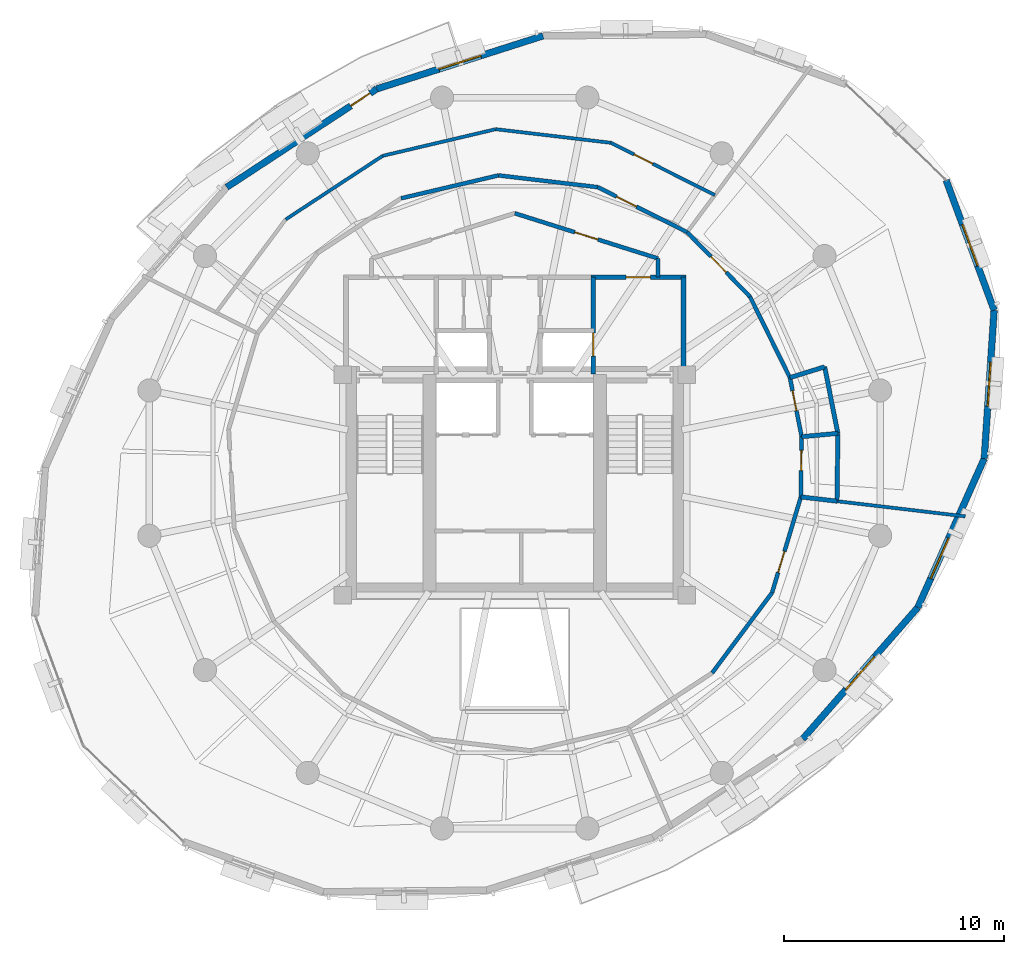
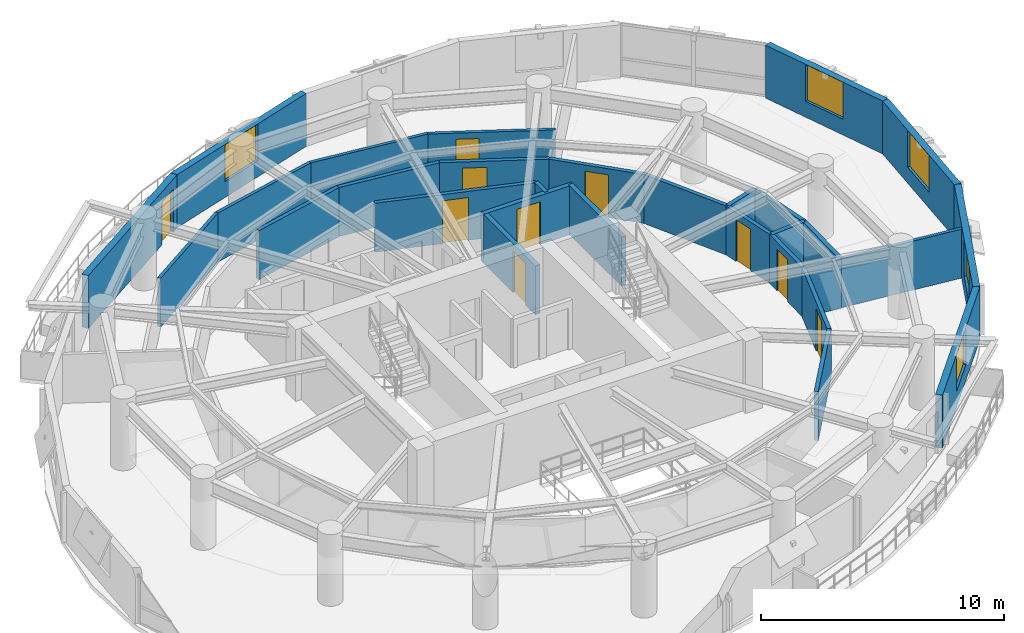
# One storey, part 9 of 12: 30 walls, 10 doors, 5 windows, 15 openings.
"""IFC4 building model written with IfcOpenShell, lengths in metres."""

from ifc_helpers import new_model, si_unit, direction, frame, frame_2d, origin, place, context, subcontext, project, spatial, rectangle, extrude, material, layer, layer_set, type_object, element, fill, save


model = new_model("IFC4")

# Units and contexts
model_context = context("Model", 3, precision=1e-05, world=origin(), true_north=direction((0.0, 1.0)))
body_context = subcontext(model_context, "Body", "Model", "MODEL_VIEW")
ifc_project = project(units=[si_unit("LENGTHUNIT", "METRE"), si_unit("AREAUNIT", "SQUARE_METRE"), si_unit("VOLUMEUNIT", "CUBIC_METRE"), si_unit("PLANEANGLEUNIT", "RADIAN"), si_unit("MASSUNIT", "GRAM", prefix="KILO"), si_unit("THERMODYNAMICTEMPERATUREUNIT", "KELVIN"), si_unit("POWERUNIT", "WATT")], contexts=[model_context])

# Site, building, storey
site_placement = place(None, origin())
site = spatial("IfcSite", under=ifc_project, at=site_placement, CompositionType="ELEMENT")
building_placement = place(site_placement, origin())
building = spatial("IfcBuilding", under=site, at=building_placement, Name="Ocrelia Relay Tower", CompositionType="ELEMENT")
storey_placement = place(building_placement, frame((0.0, 0.0, 173.60009765625)))
storey = spatial("IfcBuildingStorey", under=building, at=storey_placement, Name="L41", CompositionType="ELEMENT", Elevation=173.60009765625)

# Wall
ifc_material_1 = material(Name="Gypsum Fireboard Partition EI60", Category="gypsum")
ifc_layer_1 = layer(ifc_material_1, 0.179931640625, Name="Gypsum Fireboard Partition EI60")
ifc_layer_set_1 = layer_set([ifc_layer_1], Name="Gypsum Fireboard Partition EI60")
wall_type_1 = type_object("IfcWallType", Name="W-CORR-EI60-180", PredefinedType="PARTITIONING", material=ifc_layer_set_1)
wall_1_placement = place(storey_placement, frame((40.5, 35.280029296875, 0.0), z_axis=(0.0, 0.0, 1.0), x_axis=(0.0, -1.0, 0.0)))
element("IfcWall", 1, at=wall_1_placement, inside=storey, type_object=wall_type_1, Name="L41 Smoke Lobby East Return", PredefinedType="PARTITIONING", context=body_context, shape_type="SweptSolid", body=[
    extrude(rectangle(XDim=0.85009765625, YDim=0.179931640625, at=frame_2d((0.425048828125, 0.0))), origin(), (0.0, 0.0, 1.0), 2.4599609375),
])

# Wall, opening, door
wall_2_placement = place(storey_placement, frame((34.0, 37.330078125, 0.0), z_axis=(0.0, 0.0, 1.0), x_axis=(0.953691418528, -0.300786765376, 0.0)))
wall_2 = element("IfcWall", 2, at=wall_2_placement, inside=storey, type_object=wall_type_1, Name="L41 North Smoke Lobby E Screen Wall", PredefinedType="PARTITIONING", context=body_context, shape_type="SweptSolid", body=[
    extrude(rectangle(XDim=6.815673828125, YDim=0.179931640625, at=frame_2d((3.40771484375, 0.0))), origin(), (0.0, 0.0, 1.0), 2.4599609375),
])
opening_1_placement = place(wall_2_placement, frame((2.85791015625, 0.0, 0.0)))
opening_1 = element("IfcOpeningElement", 3, at=opening_1_placement, cuts=wall_2, Name="Opening D-FD60", PredefinedType="OPENING", context=body_context, shape_type="SweptSolid", body=[
    extrude(rectangle(XDim=1.10009765625, YDim=2.14990234375, at=frame_2d((0.550048828125, 1.074951171875))), frame((0.0, 0.10009765625, 0.0), z_axis=(0.0, -1.0, 0.0), x_axis=(1.0, 0.0, 0.0)), (0.0, 0.0, 1.0), 0.199951171875),
])
ifc_material_2 = material(Name="Timber-core 60-min acoustic fire door", Category="wood")
door_type_1 = type_object("IfcDoorType", Name="DR-LOBBY-FD60-1100", OperationType="NOTDEFINED", PredefinedType="DOOR", material=ifc_material_2)
door_1_placement = place(opening_1_placement, origin())
door_1 = element("IfcDoor", 4, at=door_1_placement, inside=storey, type_object=door_type_1, Name="L41 North Smoke Lobby E Fire Door", OperationType="SINGLE_SWING_LEFT", OverallHeight=2.14990234375, OverallWidth=1.10009765625, PredefinedType="DOOR", context=body_context, shape_type="SweptSolid", body=[
    extrude(rectangle(XDim=1.10009765625, YDim=2.14990234375, at=frame_2d((0.550048828125, 1.074951171875))), frame((0.0, 0.02490234375, 0.0), z_axis=(0.0, -1.0, 0.0), x_axis=(1.0, 0.0, 0.0)), (0.0, 0.0, 1.0), 0.050048828125),
])
fill(opening_1, door_1)

wall_3_placement = place(storey_placement, frame((46.9794921875, 24.4638671875, 0.0), z_axis=(0.0, 0.0, 1.0), x_axis=(0.013046253309, 0.999914894016, 0.0)))
wall_3 = element("IfcWall", 5, at=wall_3_placement, inside=storey, type_object=wall_type_1, Name="L41 Staff Toilet Corridor Wall", PredefinedType="PARTITIONING", context=body_context, shape_type="SweptSolid", body=[
    extrude(rectangle(XDim=2.732177734375, YDim=0.179931640625, at=frame_2d((1.3662109375, 0.0))), origin(), (0.0, 0.0, 1.0), 2.4599609375),
])
opening_2_placement = place(wall_3_placement, frame((1.196533203125, 0.0, 0.0)))
opening_2 = element("IfcOpeningElement", 6, at=opening_2_placement, cuts=wall_3, Name="Opening D-WC92", PredefinedType="OPENING", context=body_context, shape_type="SweptSolid", body=[
    extrude(rectangle(XDim=0.919921875, YDim=2.10009765625, at=frame_2d((0.4599609375, 1.050048828125))), frame((0.0, 0.10009765625, 0.0), z_axis=(0.0, -1.0, 0.0), x_axis=(1.0, 0.0, 0.0)), (0.0, 0.0, 1.0), 0.199951171875),
])
ifc_material_3 = material(Name="Laminate washroom door", Category="wood")
door_type_2 = type_object("IfcDoorType", Name="DR-WC-920", OperationType="NOTDEFINED", PredefinedType="DOOR", material=ifc_material_3)
door_2_placement = place(opening_2_placement, origin())
door_2 = element("IfcDoor", 7, at=door_2_placement, inside=storey, type_object=door_type_2, Name="L41 Staff Toilet Door", OperationType="SINGLE_SWING_RIGHT", OverallHeight=2.10009765625, OverallWidth=0.919921875, PredefinedType="DOOR", context=body_context, shape_type="SweptSolid", body=[
    extrude(rectangle(XDim=0.919921875, YDim=2.10009765625, at=frame_2d((0.4599609375, 1.050048828125))), frame((0.0, 0.02490234375, 0.0), z_axis=(0.0, -1.0, 0.0), x_axis=(1.0, 0.0, 0.0)), (0.0, 0.0, 1.0), 0.050048828125),
])
fill(opening_2, door_2)

wall_4_placement = place(storey_placement, frame((47.01513671875, 27.19580078125, 0.0), z_axis=(0.0, 0.0, 1.0), x_axis=(-0.195050694418, 0.98079316199, 0.0)))
wall_4 = element("IfcWall", 8, at=wall_4_placement, inside=storey, type_object=wall_type_1, Name="L41 Accessible Toilet Corridor Wall", PredefinedType="PARTITIONING", context=body_context, shape_type="SweptSolid", body=[
    extrude(rectangle(XDim=2.732421875, YDim=0.179931640625, at=frame_2d((1.3662109375, 0.0))), origin(), (0.0, 0.0, 1.0), 2.4599609375),
])
opening_3_placement = place(wall_4_placement, frame((1.19677734375, 0.0, 0.0)))
opening_3 = element("IfcOpeningElement", 9, at=opening_3_placement, cuts=wall_4, Name="Opening D-WC92", PredefinedType="OPENING", context=body_context, shape_type="SweptSolid", body=[
    extrude(rectangle(XDim=0.919921875, YDim=2.10009765625, at=frame_2d((0.4599609375, 1.050048828125))), frame((0.0, 0.10009765625, 0.0), z_axis=(0.0, -1.0, 0.0), x_axis=(1.0, 0.0, 0.0)), (0.0, 0.0, 1.0), 0.199951171875),
])
door_3_placement = place(opening_3_placement, origin())
door_3 = element("IfcDoor", 10, at=door_3_placement, inside=storey, type_object=door_type_2, Name="L41 Accessible Toilet Door", OperationType="SINGLE_SWING_LEFT", OverallHeight=2.10009765625, OverallWidth=0.919921875, PredefinedType="DOOR", context=body_context, shape_type="SweptSolid", body=[
    extrude(rectangle(XDim=0.919921875, YDim=2.10009765625, at=frame_2d((0.4599609375, 1.050048828125))), frame((0.0, 0.02490234375, 0.0), z_axis=(0.0, -1.0, 0.0), x_axis=(1.0, 0.0, 0.0)), (0.0, 0.0, 1.0), 0.050048828125),
])
fill(opening_3, door_3)

# Wall
wall_5_placement = place(storey_placement, frame((46.482177734375, 29.875732421875, 0.0), z_axis=(0.0, 0.0, 1.0), x_axis=(-0.442287221149, 0.896873465996, 0.0)))
element("IfcWall", 11, at=wall_5_placement, inside=storey, type_object=wall_type_1, Name="L41 Project Meeting Room Corridor Partition 1", PredefinedType="PARTITIONING", context=body_context, shape_type="SweptSolid", body=[
    extrude(rectangle(XDim=4.089111328125, YDim=0.179931640625, at=frame_2d((2.04443359375, 0.0))), origin(), (0.0, 0.0, 1.0), 2.4599609375),
])

# Wall, opening, door
wall_6_placement = place(storey_placement, frame((44.673583984375, 33.543212890625, 0.0), z_axis=(0.0, 0.0, 1.0), x_axis=(-0.697792477358, 0.716299978041, 0.0)))
wall_6 = element("IfcWall", 12, at=wall_6_placement, inside=storey, type_object=wall_type_1, Name="L41 Project Meeting Room Corridor Partition 2", PredefinedType="PARTITIONING", context=body_context, shape_type="SweptSolid", body=[
    extrude(rectangle(XDim=4.08935546875, YDim=0.179931640625, at=frame_2d((2.044677734375, 0.0))), origin(), (0.0, 0.0, 1.0), 2.4599609375),
])
opening_4_placement = place(wall_6_placement, frame((1.544677734375, 0.0, 0.0)))
opening_4 = element("IfcOpeningElement", 13, at=opening_4_placement, cuts=wall_6, Name="Opening D-RM100", PredefinedType="OPENING", context=body_context, shape_type="SweptSolid", body=[
    extrude(rectangle(XDim=1.0, YDim=2.14990234375, at=frame_2d((0.5, 1.074951171875))), frame((0.0, 0.10009765625, 0.0), z_axis=(0.0, -1.0, 0.0), x_axis=(1.0, 0.0, 0.0)), (0.0, 0.0, 1.0), 0.199951171875),
])
ifc_material_4 = material(Name="Acoustic oak veneer fire door", Category="wood")
door_type_3 = type_object("IfcDoorType", Name="DR-ROOM-FD60-1000", OperationType="NOTDEFINED", PredefinedType="DOOR", material=ifc_material_4)
door_4_placement = place(opening_4_placement, origin())
door_4 = element("IfcDoor", 14, at=door_4_placement, inside=storey, type_object=door_type_3, Name="L41 Project Meeting Room Entrance Door", OperationType="SINGLE_SWING_RIGHT", OverallHeight=2.14990234375, OverallWidth=1.0, PredefinedType="DOOR", context=body_context, shape_type="SweptSolid", body=[
    extrude(rectangle(XDim=1.0, YDim=2.14990234375, at=frame_2d((0.5, 1.074951171875))), frame((0.0, 0.02490234375, 0.0), z_axis=(0.0, -1.0, 0.0), x_axis=(1.0, 0.0, 0.0)), (0.0, 0.0, 1.0), 0.050048828125),
])
fill(opening_4, door_4)

wall_7_placement = place(storey_placement, frame((41.820068359375, 36.472412109375, 0.0), z_axis=(0.0, 0.0, 1.0), x_axis=(-0.892991933776, 0.450072667701, 0.0)))
wall_7 = element("IfcWall", 15, at=wall_7_placement, inside=storey, type_object=wall_type_1, Name="L41 Cybersecurity Conference Room Corridor Partition 1", PredefinedType="PARTITIONING", context=body_context, shape_type="SweptSolid", body=[
    extrude(rectangle(XDim=4.539306640625, YDim=0.179931640625, at=frame_2d((2.26953125, 0.0))), origin(), (0.0, 0.0, 1.0), 2.4599609375),
])
opening_5_placement = place(wall_7_placement, frame((2.579345703125, 0.0, 0.0)))
opening_5 = element("IfcOpeningElement", 16, at=opening_5_placement, cuts=wall_7, Name="Opening D-RM100", PredefinedType="OPENING", context=body_context, shape_type="SweptSolid", body=[
    extrude(rectangle(XDim=1.0, YDim=2.14990234375, at=frame_2d((0.5, 1.074951171875))), frame((0.0, 0.10009765625, 0.0), z_axis=(0.0, -1.0, 0.0), x_axis=(1.0, 0.0, 0.0)), (0.0, 0.0, 1.0), 0.199951171875),
])
door_5_placement = place(opening_5_placement, origin())
door_5 = element("IfcDoor", 17, at=door_5_placement, inside=storey, type_object=door_type_3, Name="L41 Cybersecurity Conference Room Entrance Door", OperationType="SINGLE_SWING_LEFT", OverallHeight=2.14990234375, OverallWidth=1.0, PredefinedType="DOOR", context=body_context, shape_type="SweptSolid", body=[
    extrude(rectangle(XDim=1.0, YDim=2.14990234375, at=frame_2d((0.5, 1.074951171875))), frame((0.0, 0.02490234375, 0.0), z_axis=(0.0, -1.0, 0.0), x_axis=(1.0, 0.0, 0.0)), (0.0, 0.0, 1.0), 0.050048828125),
])
fill(opening_5, door_5)

# Walls
for number, where, z_axis, x_axis, name in (
    (18, (37.7666015625, 38.515380859375, 0.0), (0.0, 0.0, 1.0), (-0.993063685104, 0.117577707612, 0.0), "L41 Cybersecurity Conference Room Corridor Partition 2"),
    (19, (33.259033203125, 39.049072265625, 0.0), (0.0, 0.0, 1.0), (-0.973370592217, -0.229237192022, 0.0), "L41 Cybersecurity Conference Room Corridor Partition 3"),
    (20, (42.955322265625, 16.480224609375, 0.0), (0.0, 0.0, 1.0), (0.598320542487, 0.80125684299, 0.0), "L41 Shift Staff Lounge Corridor Partition 2"),
):
    element("IfcWall", number, at=place(storey_placement, frame(where, z_axis=z_axis, x_axis=x_axis)), inside=storey, type_object=wall_type_1, Name=name, PredefinedType="PARTITIONING", context=body_context, shape_type="SweptSolid", body=[
        extrude(rectangle(XDim=4.5390625, YDim=0.179931640625, at=frame_2d((2.26953125, 0.0))), origin(), (0.0, 0.0, 1.0), 2.4599609375),
    ])

# Wall, opening, door
wall_8_placement = place(storey_placement, frame((45.671142578125, 20.1171875, 0.0), z_axis=(0.0, 0.0, 1.0), x_axis=(0.288226064997, 0.957562392461, 0.0)))
wall_8 = element("IfcWall", 21, at=wall_8_placement, inside=storey, type_object=wall_type_1, Name="L41 Shift Staff Lounge Corridor Partition 3", PredefinedType="PARTITIONING", context=body_context, shape_type="SweptSolid", body=[
    extrude(rectangle(XDim=4.539306640625, YDim=0.179931640625, at=frame_2d((2.26953125, 0.0))), origin(), (0.0, 0.0, 1.0), 2.4599609375),
])
opening_6_placement = place(wall_8_placement, frame((0.959716796875, 0.0, 0.0)))
opening_6 = element("IfcOpeningElement", 22, at=opening_6_placement, cuts=wall_8, Name="Opening D-RM100", PredefinedType="OPENING", context=body_context, shape_type="SweptSolid", body=[
    extrude(rectangle(XDim=1.0, YDim=2.14990234375, at=frame_2d((0.5, 1.074951171875))), frame((0.0, 0.10009765625, 0.0), z_axis=(0.0, -1.0, 0.0), x_axis=(1.0, 0.0, 0.0)), (0.0, 0.0, 1.0), 0.199951171875),
])
door_6_placement = place(opening_6_placement, origin())
door_6 = element("IfcDoor", 23, at=door_6_placement, inside=storey, type_object=door_type_3, Name="L41 Shift Staff Lounge Entrance Door", OperationType="SINGLE_SWING_RIGHT", OverallHeight=2.14990234375, OverallWidth=1.0, PredefinedType="DOOR", context=body_context, shape_type="SweptSolid", body=[
    extrude(rectangle(XDim=1.0, YDim=2.14990234375, at=frame_2d((0.5, 1.074951171875))), frame((0.0, 0.02490234375, 0.0), z_axis=(0.0, -1.0, 0.0), x_axis=(1.0, 0.0, 0.0)), (0.0, 0.0, 1.0), 0.050048828125),
])
fill(opening_6, door_6)

# Wall, opening, window
ifc_material_5 = material(Name="Precast concrete C40/50 with oxide terracotta", Category="masonry")
ifc_layer_2 = layer(ifc_material_5, 0.300048828125, Name="Precast concrete C40/50 with oxide terracotta")
ifc_layer_set_2 = layer_set([ifc_layer_2], Name="Precast concrete C40/50 with oxide terracotta")
wall_type_2 = type_object("IfcWallType", Name="W-EXT-TERR-300", PredefinedType="SOLIDWALL", material=ifc_layer_set_2)
wall_9_placement = place(storey_placement, frame((35.284912109375, 45.37890625, 0.0), z_axis=(0.0, 0.0, 1.0), x_axis=(-0.952705891998, -0.303893868566, 0.0)))
wall_9 = element("IfcWall", 24, at=wall_9_placement, inside=storey, type_object=wall_type_2, Name="L41 Oxide Terracotta Facade Wall 04", PredefinedType="SOLIDWALL", context=body_context, shape_type="SweptSolid", body=[
    extrude(rectangle(XDim=7.927001953125, YDim=0.300048828125, at=frame_2d((3.96337890625, 0.0))), origin(), (0.0, 0.0, 1.0), 2.659912109375),
])
opening_7_placement = place(wall_9_placement, frame((2.964111328125, 0.0, 0.800048828125)))
opening_7 = element("IfcOpeningElement", 25, at=opening_7_placement, cuts=wall_9, Name="Opening W-03", PredefinedType="OPENING", context=body_context, shape_type="SweptSolid", body=[
    extrude(rectangle(XDim=2.0, YDim=1.85009765625, at=frame_2d((1.0, 0.925048828125))), frame((0.0, 0.16015625, 0.0), z_axis=(0.0, -1.0, 0.0), x_axis=(1.0, 0.0, 0.0)), (0.0, 0.0, 1.0), 0.320068359375),
])
ifc_material_6 = material(Name="Clear double-glazed low-E glass", Category="glass")
window_type = type_object("IfcWindowType", Name="WIN-Z3-2000x2200", PartitioningType="DOUBLE_PANEL_VERTICAL", PredefinedType="WINDOW", material=ifc_material_6)
window_1_placement = place(opening_7_placement, origin())
window_1 = element("IfcWindow", 26, at=window_1_placement, inside=storey, type_object=window_type, Name="L41 Facade Module Window 04", OverallHeight=1.85009765625, OverallWidth=2.0, PartitioningType="SINGLE_PANEL", PredefinedType="WINDOW", context=body_context, shape_type="SweptSolid", body=[
    extrude(rectangle(XDim=2.0, YDim=1.85009765625, at=frame_2d((1.0, 0.925048828125))), frame((0.0, 0.030029296875, 0.0), z_axis=(0.0, -1.0, 0.0), x_axis=(1.0, 0.0, 0.0)), (0.0, 0.0, 1.0), 0.06005859375),
])
fill(opening_7, window_1)

# Wall, opening, door
wall_10_placement = place(storey_placement, frame((27.73291015625, 42.969970703125, 0.0), z_axis=(0.0, 0.0, 1.0), x_axis=(-0.836291563278, -0.54828498173, 0.0)))
wall_10 = element("IfcWall", 27, at=wall_10_placement, inside=storey, type_object=wall_type_2, Name="L41 Oxide Terracotta Facade Wall 05", PredefinedType="SOLIDWALL", context=body_context, shape_type="SweptSolid", body=[
    extrude(rectangle(XDim=8.126708984375, YDim=0.300048828125, at=frame_2d((4.0634765625, 0.0))), origin(), (0.0, 0.0, 1.0), 2.659912109375),
])
opening_8_placement = place(wall_10_placement, frame((0.35009765625, 0.0, 0.0)))
opening_8 = element("IfcOpeningElement", 28, at=opening_8_placement, cuts=wall_10, Name="Opening DB-105", PredefinedType="OPENING", context=body_context, shape_type="SweptSolid", body=[
    extrude(rectangle(XDim=1.050048828125, YDim=2.14990234375, at=frame_2d((0.52490234375, 1.074951171875))), frame((0.0, 0.16015625, 0.0), z_axis=(0.0, -1.0, 0.0), x_axis=(1.0, 0.0, 0.0)), (0.0, 0.0, 1.0), 0.320068359375),
])
ifc_material_7 = material(Name="Thermally broken aluminium and clear glass", Category="aluminium")
door_type_4 = type_object("IfcDoorType", Name="DR-BALC-1050", OperationType="NOTDEFINED", PredefinedType="DOOR", material=ifc_material_7)
door_7_placement = place(opening_8_placement, origin())
door_7 = element("IfcDoor", 29, at=door_7_placement, inside=storey, type_object=door_type_4, Name="L41 Planted Loggia Balcony Door B1", OperationType="SINGLE_SWING_LEFT", OverallHeight=2.14990234375, OverallWidth=1.050048828125, PredefinedType="DOOR", context=body_context, shape_type="SweptSolid", body=[
    extrude(rectangle(XDim=1.050048828125, YDim=2.14990234375, at=frame_2d((0.52490234375, 1.074951171875))), frame((0.0, 0.02490234375, 0.0), z_axis=(0.0, -1.0, 0.0), x_axis=(1.0, 0.0, 0.0)), (0.0, 0.0, 1.0), 0.050048828125),
])
fill(opening_8, door_7)

# Wall, opening, window
wall_11_placement = place(storey_placement, frame((47.0634765625, 13.48583984375, 0.0), z_axis=(0.0, 0.0, 1.0), x_axis=(0.658594000486, 0.752498466792, 0.0)))
wall_11 = element("IfcWall", 30, at=wall_11_placement, inside=storey, type_object=wall_type_2, Name="L41 Oxide Terracotta Facade Wall 15", PredefinedType="SOLIDWALL", context=body_context, shape_type="SweptSolid", body=[
    extrude(rectangle(XDim=7.927001953125, YDim=0.300048828125, at=frame_2d((3.96337890625, 0.0))), origin(), (0.0, 0.0, 1.0), 2.659912109375),
])
opening_9_placement = place(wall_11_placement, frame((2.964111328125, 0.0, 0.800048828125)))
opening_9 = element("IfcOpeningElement", 31, at=opening_9_placement, cuts=wall_11, Name="Opening W-03", PredefinedType="OPENING", context=body_context, shape_type="SweptSolid", body=[
    extrude(rectangle(XDim=2.0, YDim=1.85009765625, at=frame_2d((1.0, 0.925048828125))), frame((0.0, 0.16015625, 0.0), z_axis=(0.0, -1.0, 0.0), x_axis=(1.0, 0.0, 0.0)), (0.0, 0.0, 1.0), 0.320068359375),
])
window_2_placement = place(opening_9_placement, origin())
window_2 = element("IfcWindow", 32, at=window_2_placement, inside=storey, type_object=window_type, Name="L41 Facade Module Window 15", OverallHeight=1.85009765625, OverallWidth=2.0, PartitioningType="SINGLE_PANEL", PredefinedType="WINDOW", context=body_context, shape_type="SweptSolid", body=[
    extrude(rectangle(XDim=2.0, YDim=1.85009765625, at=frame_2d((1.0, 0.925048828125))), frame((0.0, 0.030029296875, 0.0), z_axis=(0.0, -1.0, 0.0), x_axis=(1.0, 0.0, 0.0)), (0.0, 0.0, 1.0), 0.06005859375),
])
fill(opening_9, window_2)

wall_12_placement = place(storey_placement, frame((52.2841796875, 19.450927734375, 0.0), z_axis=(0.0, 0.0, 1.0), x_axis=(0.407577130337, 0.913170785136, 0.0)))
wall_12 = element("IfcWall", 33, at=wall_12_placement, inside=storey, type_object=wall_type_2, Name="L41 Oxide Terracotta Facade Wall 16", PredefinedType="SOLIDWALL", context=body_context, shape_type="SweptSolid", body=[
    extrude(rectangle(XDim=7.397705078125, YDim=0.300048828125, at=frame_2d((3.69873046875, 0.0))), origin(), (0.0, 0.0, 1.0), 2.659912109375),
])
opening_10_placement = place(wall_12_placement, frame((1.43896484375, 0.0, 0.800048828125)))
opening_10 = element("IfcOpeningElement", 34, at=opening_10_placement, cuts=wall_12, Name="Opening W-03", PredefinedType="OPENING", context=body_context, shape_type="SweptSolid", body=[
    extrude(rectangle(XDim=2.0, YDim=1.85009765625, at=frame_2d((1.0, 0.925048828125))), frame((0.0, 0.16015625, 0.0), z_axis=(0.0, -1.0, 0.0), x_axis=(1.0, 0.0, 0.0)), (0.0, 0.0, 1.0), 0.320068359375),
])
window_3_placement = place(opening_10_placement, origin())
window_3 = element("IfcWindow", 35, at=window_3_placement, inside=storey, type_object=window_type, Name="L41 Facade Module Window 16", OverallHeight=1.85009765625, OverallWidth=2.0, PartitioningType="SINGLE_PANEL", PredefinedType="WINDOW", context=body_context, shape_type="SweptSolid", body=[
    extrude(rectangle(XDim=2.0, YDim=1.85009765625, at=frame_2d((1.0, 0.925048828125))), frame((0.0, 0.030029296875, 0.0), z_axis=(0.0, -1.0, 0.0), x_axis=(1.0, 0.0, 0.0)), (0.0, 0.0, 1.0), 0.06005859375),
])
fill(opening_10, window_3)

wall_13_placement = place(storey_placement, frame((55.29931640625, 26.206298828125, 0.0), z_axis=(0.0, 0.0, 1.0), x_axis=(0.066168247178, 0.997808480153, 0.0)))
wall_13 = element("IfcWall", 36, at=wall_13_placement, inside=storey, type_object=wall_type_2, Name="L41 Oxide Terracotta Facade Wall 17", PredefinedType="SOLIDWALL", context=body_context, shape_type="SweptSolid", body=[
    extrude(rectangle(XDim=6.744873046875, YDim=0.300048828125, at=frame_2d((3.37255859375, 0.0))), origin(), (0.0, 0.0, 1.0), 2.659912109375),
])
opening_11_placement = place(wall_13_placement, frame((2.3720703125, 0.0, 0.800048828125)))
opening_11 = element("IfcOpeningElement", 37, at=opening_11_placement, cuts=wall_13, Name="Opening W-03", PredefinedType="OPENING", context=body_context, shape_type="SweptSolid", body=[
    extrude(rectangle(XDim=2.0, YDim=1.85009765625, at=frame_2d((1.0, 0.925048828125))), frame((0.0, 0.16015625, 0.0), z_axis=(0.0, -1.0, 0.0), x_axis=(1.0, 0.0, 0.0)), (0.0, 0.0, 1.0), 0.320068359375),
])
window_4_placement = place(opening_11_placement, origin())
window_4 = element("IfcWindow", 38, at=window_4_placement, inside=storey, type_object=window_type, Name="L41 Facade Module Window 17", OverallHeight=1.85009765625, OverallWidth=2.0, PartitioningType="SINGLE_PANEL", PredefinedType="WINDOW", context=body_context, shape_type="SweptSolid", body=[
    extrude(rectangle(XDim=2.0, YDim=1.85009765625, at=frame_2d((1.0, 0.925048828125))), frame((0.0, 0.030029296875, 0.0), z_axis=(0.0, -1.0, 0.0), x_axis=(1.0, 0.0, 0.0)), (0.0, 0.0, 1.0), 0.06005859375),
])
fill(opening_11, window_4)

wall_14_placement = place(storey_placement, frame((55.74560546875, 32.936279296875, 0.0), z_axis=(0.0, 0.0, 1.0), x_axis=(-0.346421957123, 0.938078796063, 0.0)))
wall_14 = element("IfcWall", 39, at=wall_14_placement, inside=storey, type_object=wall_type_2, Name="L41 Oxide Terracotta Facade Wall 18", PredefinedType="SOLIDWALL", context=body_context, shape_type="SweptSolid", body=[
    extrude(rectangle(XDim=6.282958984375, YDim=0.300048828125, at=frame_2d((3.1416015625, 0.0))), origin(), (0.0, 0.0, 1.0), 2.659912109375),
])
opening_12_placement = place(wall_14_placement, frame((2.14111328125, 0.0, 0.800048828125)))
opening_12 = element("IfcOpeningElement", 40, at=opening_12_placement, cuts=wall_14, Name="Opening W-03", PredefinedType="OPENING", context=body_context, shape_type="SweptSolid", body=[
    extrude(rectangle(XDim=2.0, YDim=1.85009765625, at=frame_2d((1.0, 0.925048828125))), frame((0.0, 0.16015625, 0.0), z_axis=(0.0, -1.0, 0.0), x_axis=(1.0, 0.0, 0.0)), (0.0, 0.0, 1.0), 0.320068359375),
])
window_5_placement = place(opening_12_placement, origin())
window_5 = element("IfcWindow", 41, at=window_5_placement, inside=storey, type_object=window_type, Name="L41 Facade Module Window 18", OverallHeight=1.85009765625, OverallWidth=2.0, PartitioningType="SINGLE_PANEL", PredefinedType="WINDOW", context=body_context, shape_type="SweptSolid", body=[
    extrude(rectangle(XDim=2.0, YDim=1.85009765625, at=frame_2d((1.0, 0.925048828125))), frame((0.0, 0.030029296875, 0.0), z_axis=(0.0, -1.0, 0.0), x_axis=(1.0, 0.0, 0.0)), (0.0, 0.0, 1.0), 0.06005859375),
])
fill(opening_12, window_5)

# Wall, opening, door
ifc_material_8 = material(Name="Concrete C50/60", Category="concrete")
ifc_layer_3 = layer(ifc_material_8, 0.219970703125, Name="Concrete C50/60")
ifc_layer_set_3 = layer_set([ifc_layer_3], Name="Concrete C50/60")
wall_type_3 = type_object("IfcWallType", Name="W-FFL-EI120-220", PredefinedType="SOLIDWALL", material=ifc_layer_set_3)
wall_15_placement = place(storey_placement, frame((37.56005859375, 30.050048828125, 0.0), z_axis=(0.0, 0.0, 1.0), x_axis=(0.0, 1.0, 0.0)))
wall_15 = element("IfcWall", 42, at=wall_15_placement, inside=storey, type_object=wall_type_3, Name="L41 E Fire Service Lift Lobby West Wall", PredefinedType="SOLIDWALL", context=body_context, shape_type="SweptSolid", body=[
    extrude(rectangle(XDim=4.3798828125, YDim=0.219970703125, at=frame_2d((2.18994140625, 0.0))), origin(), (0.0, 0.0, 1.0), 2.4599609375),
])
opening_13_placement = place(wall_15_placement, frame((0.800048828125, 0.0, 0.0)))
opening_13 = element("IfcOpeningElement", 43, at=opening_13_placement, cuts=wall_15, Name="Opening LD-FFL2", PredefinedType="OPENING", context=body_context, shape_type="SweptSolid", body=[
    extrude(rectangle(XDim=1.050048828125, YDim=2.10009765625, at=frame_2d((0.52490234375, 1.050048828125))), frame((0.0, 0.1201171875, 0.0), z_axis=(0.0, -1.0, 0.0), x_axis=(1.0, 0.0, 0.0)), (0.0, 0.0, 1.0), 0.239990234375),
])
ifc_material_9 = material(Name="Brushed stainless steel S355 lift landing door", Category="steel")
door_type_5 = type_object("IfcDoorType", Name="DR-LIFT-LAND-1050", OperationType="DOUBLE_DOOR_SLIDING", PredefinedType="USERDEFINED", material=ifc_material_9)
door_8_placement = place(opening_13_placement, origin())
door_8 = element("IfcDoor", 44, at=door_8_placement, inside=storey, type_object=door_type_5, Name="L41 Firefighting Lift FFL2 Sliding Landing Door", ObjectType="LANDING DOOR", OperationType="DOUBLE_DOOR_SLIDING", OverallHeight=2.10009765625, OverallWidth=1.050048828125, PredefinedType="USERDEFINED", context=body_context, shape_type="SweptSolid", body=[
    extrude(rectangle(XDim=1.050048828125, YDim=2.10009765625, at=frame_2d((0.52490234375, 1.050048828125))), frame((0.0, 0.02490234375, 0.0), z_axis=(0.0, -1.0, 0.0), x_axis=(1.0, 0.0, 0.0)), (0.0, 0.0, 1.0), 0.050048828125),
])
fill(opening_13, door_8)

# Wall
wall_16_placement = place(storey_placement, frame((41.64990234375, 30.050048828125, 0.0), z_axis=(0.0, 0.0, 1.0), x_axis=(0.0, 1.0, 0.0)))
element("IfcWall", 45, at=wall_16_placement, inside=storey, type_object=wall_type_3, Name="L41 E Fire Service Lift Lobby East Wall", PredefinedType="SOLIDWALL", context=body_context, shape_type="SweptSolid", body=[
    extrude(rectangle(XDim=4.3798828125, YDim=0.219970703125, at=frame_2d((2.18994140625, 0.0))), origin(), (0.0, 0.0, 1.0), 2.4599609375),
])

# Wall, opening, door
wall_17_placement = place(storey_placement, frame((37.449951171875, 34.429931640625, 0.0), z_axis=(0.0, 0.0, 1.0), x_axis=(1.0, 0.0, 0.0)))
wall_17 = element("IfcWall", 46, at=wall_17_placement, inside=storey, type_object=wall_type_3, Name="L41 E Fire Service Lift Lobby North Wall", PredefinedType="SOLIDWALL", context=body_context, shape_type="SweptSolid", body=[
    extrude(rectangle(XDim=4.31005859375, YDim=0.219970703125, at=frame_2d((2.155029296875, 0.0))), origin(), (0.0, 0.0, 1.0), 2.4599609375),
])
opening_14_placement = place(wall_17_placement, frame((1.60009765625, 0.0, 0.0)))
opening_14 = element("IfcOpeningElement", 47, at=opening_14_placement, cuts=wall_17, Name="Opening D-FD60", PredefinedType="OPENING", context=body_context, shape_type="SweptSolid", body=[
    extrude(rectangle(XDim=1.10009765625, YDim=2.14990234375, at=frame_2d((0.550048828125, 1.074951171875))), frame((0.0, 0.1201171875, 0.0), z_axis=(0.0, -1.0, 0.0), x_axis=(1.0, 0.0, 0.0)), (0.0, 0.0, 1.0), 0.239990234375),
])
door_9_placement = place(opening_14_placement, origin())
door_9 = element("IfcDoor", 48, at=door_9_placement, inside=storey, type_object=door_type_1, Name="L41 E Fire Service Lift Lobby Exit Door", OperationType="SINGLE_SWING_RIGHT", OverallHeight=2.14990234375, OverallWidth=1.10009765625, PredefinedType="DOOR", context=body_context, shape_type="SweptSolid", body=[
    extrude(rectangle(XDim=1.10009765625, YDim=2.14990234375, at=frame_2d((0.550048828125, 1.074951171875))), frame((0.0, 0.02490234375, 0.0), z_axis=(0.0, -1.0, 0.0), x_axis=(1.0, 0.0, 0.0)), (0.0, 0.0, 1.0), 0.050048828125),
])
fill(opening_14, door_9)

# Wall
ifc_material_10 = material(Name="Acoustic Fireboard Partition EI60", Category="gypsum")
ifc_layer_4 = layer(ifc_material_10, 0.14990234375, Name="Acoustic Fireboard Partition EI60")
ifc_layer_set_4 = layer_set([ifc_layer_4], Name="Acoustic Fireboard Partition EI60")
wall_type_4 = type_object("IfcWallType", Name="W-PART-150", PredefinedType="PARTITIONING", material=ifc_layer_set_4)
wall_18_placement = place(storey_placement, frame((48.617919921875, 24.269775390625, 0.0), z_axis=(0.0, 0.0, 1.0), x_axis=(0.993073026806, -0.117498780548, 0.0)))
element("IfcWall", 49, at=wall_18_placement, inside=storey, type_object=wall_type_4, Name="L41 Project Meeting Room Radial Partition", PredefinedType="PARTITIONING", context=body_context, shape_type="SweptSolid", body=[
    extrude(rectangle(XDim=5.859375, YDim=0.14990234375, at=frame_2d((2.9296875, 0.0))), origin(), (0.0, 0.0, 1.0), 2.4599609375),
])

# Wall, opening, door
wall_19_placement = place(storey_placement, frame((43.07666015625, 38.155029296875, 0.0), z_axis=(0.0, 0.0, 1.0), x_axis=(-0.892986088423, 0.450084265313, 0.0)))
wall_19 = element("IfcWall", 50, at=wall_19_placement, inside=storey, type_object=wall_type_4, Name="L41 Perimeter Cybersecurity Conference Room Mid-Ring Partition 1", PredefinedType="PARTITIONING", context=body_context, shape_type="SweptSolid", body=[
    extrude(rectangle(XDim=5.2685546875, YDim=0.14990234375, at=frame_2d((2.63427734375, 0.0))), origin(), (0.0, 0.0, 1.0), 2.4599609375),
])
opening_15_placement = place(wall_19_placement, frame((3.14892578125, 0.0, 0.0)))
opening_15 = element("IfcOpeningElement", 51, at=opening_15_placement, cuts=wall_19, Name="Opening D-RM95", PredefinedType="OPENING", context=body_context, shape_type="SweptSolid", body=[
    extrude(rectangle(XDim=0.949951171875, YDim=2.14990234375, at=frame_2d((0.47509765625, 1.074951171875))), frame((0.0, 0.0849609375, 0.0), z_axis=(0.0, -1.0, 0.0), x_axis=(1.0, 0.0, 0.0)), (0.0, 0.0, 1.0), 0.169921875),
])
door_type_6 = type_object("IfcDoorType", Name="DR-ROOM-950", OperationType="NOTDEFINED", PredefinedType="DOOR", material=ifc_material_4)
door_10_placement = place(opening_15_placement, origin())
door_10 = element("IfcDoor", 52, at=door_10_placement, inside=storey, type_object=door_type_6, Name="L41 Perimeter Cybersecurity Conference Room Connecting Door", OperationType="SINGLE_SWING_RIGHT", OverallHeight=2.14990234375, OverallWidth=0.949951171875, PredefinedType="DOOR", context=body_context, shape_type="SweptSolid", body=[
    extrude(rectangle(XDim=0.949951171875, YDim=2.14990234375, at=frame_2d((0.47509765625, 1.074951171875))), frame((0.0, 0.02490234375, 0.0), z_axis=(0.0, -1.0, 0.0), x_axis=(1.0, 0.0, 0.0)), (0.0, 0.0, 1.0), 0.050048828125),
])
fill(opening_15, door_10)

# Walls
wall_20_placement = place(storey_placement, frame((38.371826171875, 40.5263671875, 0.0), z_axis=(0.0, 0.0, 1.0), x_axis=(-0.99307066172, 0.117518767994, 0.0)))
element("IfcWall", 53, at=wall_20_placement, inside=storey, type_object=wall_type_4, Name="L41 Perimeter Cybersecurity Conference Room Mid-Ring Partition 2", PredefinedType="PARTITIONING", context=body_context, shape_type="SweptSolid", body=[
    extrude(rectangle(XDim=5.2685546875, YDim=0.14990234375, at=frame_2d((2.63427734375, 0.0))), origin(), (0.0, 0.0, 1.0), 2.4599609375),
])
wall_21_placement = place(storey_placement, frame((33.139892578125, 41.1455078125, 0.0), z_axis=(0.0, 0.0, 1.0), x_axis=(-0.973379475122, -0.229199470791, 0.0)))
element("IfcWall", 54, at=wall_21_placement, inside=storey, type_object=wall_type_4, Name="L41 Perimeter Cybersecurity Conference Room Mid-Ring Partition 3", PredefinedType="PARTITIONING", context=body_context, shape_type="SweptSolid", body=[
    extrude(rectangle(XDim=5.268310546875, YDim=0.14990234375, at=frame_2d((2.63427734375, 0.0))), origin(), (0.0, 0.0, 1.0), 2.4599609375),
])
wall_22_placement = place(storey_placement, frame((28.01171875, 39.93798828125, 0.0), z_axis=(0.0, 0.0, 1.0), x_axis=(-0.836288953653, -0.548288962134, 0.0)))
element("IfcWall", 55, at=wall_22_placement, inside=storey, type_object=wall_type_4, Name="L41 Perimeter Cybersecurity Conference Room Mid-Ring Partition 4", PredefinedType="PARTITIONING", context=body_context, shape_type="SweptSolid", body=[
    extrude(rectangle(XDim=5.2685546875, YDim=0.14990234375, at=frame_2d((2.63427734375, 0.0))), origin(), (0.0, 0.0, 1.0), 2.4599609375),
])
ifc_material_11 = material(Name="Moisture-Resistant Fireboard Chase Wall EI60", Category="gypsum")
ifc_layer_5 = layer(ifc_material_11, 0.199951171875, Name="Moisture-Resistant Fireboard Chase Wall EI60")
ifc_layer_set_5 = layer_set([ifc_layer_5], Name="Moisture-Resistant Fireboard Chase Wall EI60")
wall_type_5 = type_object("IfcWallType", Name="W-PLUMB-200", PredefinedType="PLUMBINGWALL", material=ifc_layer_set_5)
for number, where, z_axis, x_axis, name in (
    (56, (46.9794921875, 24.4638671875, 0.0), (0.0, 0.0, 1.0), (0.993056347377, -0.117639665648, 0.0), "L41 Staff Toilet Plumbing Radial Wall"),
    (57, (47.01513671875, 27.19580078125, 0.0), (0.0, 0.0, 1.0), (0.995796836114, 0.091589634704, 0.0), "L41 Staff Toilet Plumbing Radial Wall"),
):
    element("IfcWall", number, at=place(storey_placement, frame(where, z_axis=z_axis, x_axis=x_axis)), inside=storey, type_object=wall_type_5, Name=name, PredefinedType="PLUMBINGWALL", context=body_context, shape_type="SweptSolid", body=[
        extrude(rectangle(XDim=1.64990234375, YDim=0.199951171875, at=frame_2d((0.824951171875, 0.0))), origin(), (0.0, 0.0, 1.0), 2.4599609375),
    ])
wall_23_placement = place(storey_placement, frame((48.617919921875, 24.269775390625, 0.0), z_axis=(0.0, 0.0, 1.0), x_axis=(0.013089960589, 0.999914322796, 0.0)))
element("IfcWall", 58, at=wall_23_placement, inside=storey, type_object=wall_type_5, Name="L41 Staff Toilet Back Plumbing Wall", PredefinedType="PLUMBINGWALL", context=body_context, shape_type="SweptSolid", body=[
    extrude(rectangle(XDim=3.077392578125, YDim=0.199951171875, at=frame_2d((1.53857421875, 0.0))), origin(), (0.0, 0.0, 1.0), 2.4599609375),
])
wall_24_placement = place(storey_placement, frame((46.482177734375, 29.875732421875, 0.0), z_axis=(0.0, 0.0, 1.0), x_axis=(0.955020793809, 0.296538839602, 0.0)))
element("IfcWall", 59, at=wall_24_placement, inside=storey, type_object=wall_type_5, Name="L41 Accessible Toilet Plumbing Radial Wall", PredefinedType="PLUMBINGWALL", context=body_context, shape_type="SweptSolid", body=[
    extrude(rectangle(XDim=1.64990234375, YDim=0.199951171875, at=frame_2d((0.824951171875, 0.0))), origin(), (0.0, 0.0, 1.0), 2.4599609375),
])
wall_25_placement = place(storey_placement, frame((48.658203125, 27.346923828125, 0.0), z_axis=(0.0, 0.0, 1.0), x_axis=(-0.195093780369, 0.980784592488, 0.0)))
element("IfcWall", 60, at=wall_25_placement, inside=storey, type_object=wall_type_5, Name="L41 Accessible Toilet Back Plumbing Wall", PredefinedType="PLUMBINGWALL", context=body_context, shape_type="SweptSolid", body=[
    extrude(rectangle(XDim=3.0771484375, YDim=0.199951171875, at=frame_2d((1.53857421875, 0.0))), origin(), (0.0, 0.0, 1.0), 2.4599609375),
])

save(model, "model.ifc")
